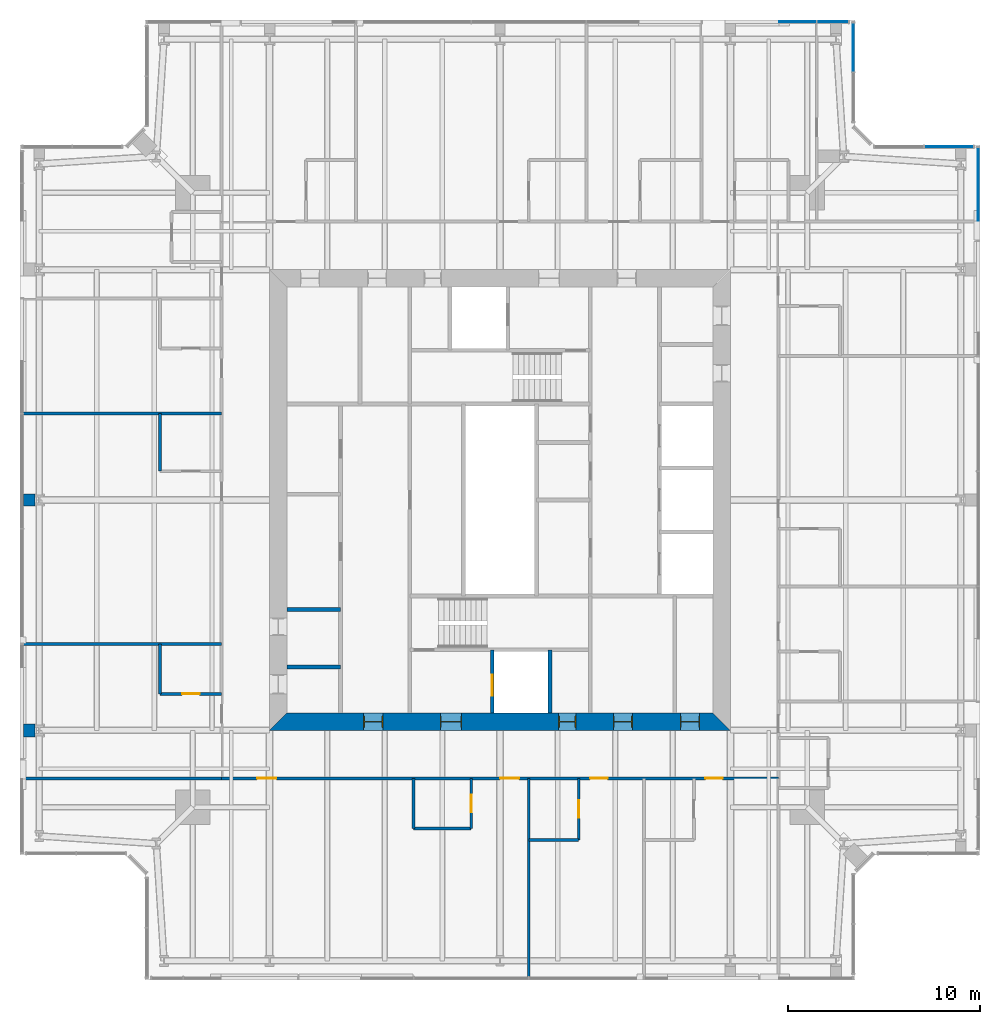
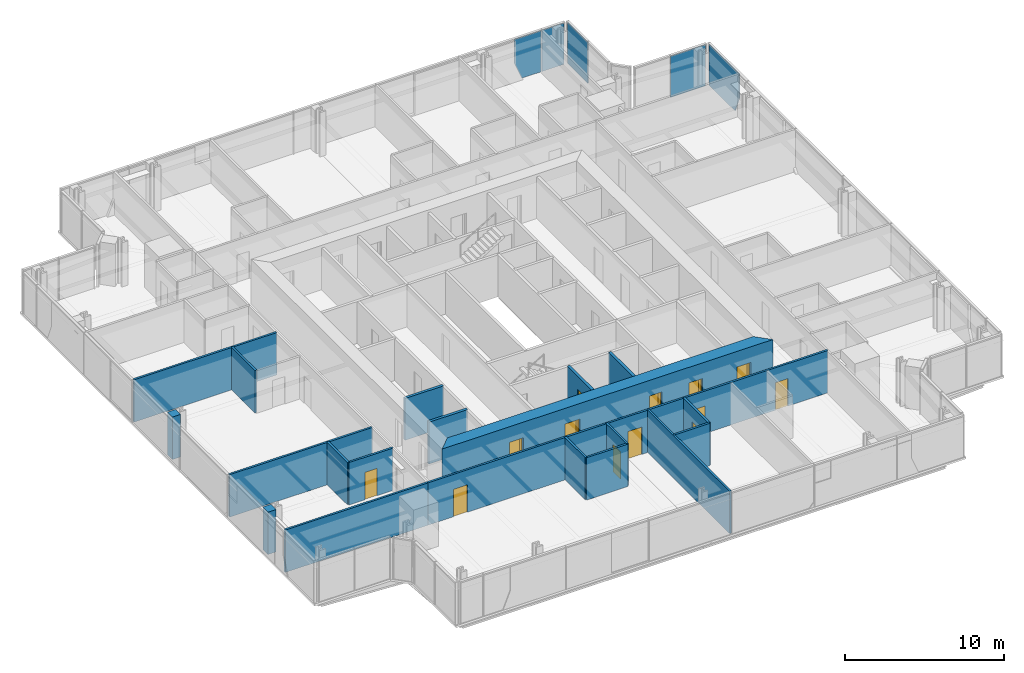
# One storey, part 11 of 18: 20 walls, 13 doors, 5 plates, 13 openings, 4 elements without a shape of their own.
"""IFC4 building model written with IfcOpenShell, lengths in metres."""

from ifc_helpers import new_model, si_unit, direction, frame, frame_2d, origin, origin_2d, place, context, subcontext, project, spatial, polyline, rectangle, outline, extrude, material, layer, layer_set, type_object, element, fill, aggregate, save


model = new_model("IFC4")

# Units and contexts
model_context = context("Model", 3, precision=1e-05, world=origin(), true_north=direction((0.0, 1.0)))
body_context = subcontext(model_context, "Body", "Model", "MODEL_VIEW")
ifc_project = project(units=[si_unit("LENGTHUNIT", "METRE"), si_unit("AREAUNIT", "SQUARE_METRE"), si_unit("VOLUMEUNIT", "CUBIC_METRE"), si_unit("PLANEANGLEUNIT", "RADIAN"), si_unit("MASSUNIT", "GRAM", prefix="KILO")], contexts=[model_context])

# Site, building, storey
site_placement = place(None, origin())
site = spatial("IfcSite", under=ifc_project, at=site_placement, CompositionType="ELEMENT")
building_placement = place(site_placement, origin())
building = spatial("IfcBuilding", under=site, at=building_placement, Name="Fenwick Lantern Interchange", CompositionType="ELEMENT")
storey_placement = place(building_placement, frame((0.0, 0.0, 266.199951171875)))
storey = spatial("IfcBuildingStorey", under=building, at=storey_placement, Name="L63", CompositionType="ELEMENT", Elevation=266.199951171875)

# Curtain wall, plate
ifc_material_1 = material(Name="Aluminium curtain wall frame", Category="aluminium")
curtain_wall_type = type_object("IfcCurtainWallType", Name="HOTEL CURTAIN WALL", PredefinedType="USERDEFINED", material=ifc_material_1)
curtain_wall_1_placement = place(storey_placement, origin())
curtain_wall_1 = element("IfcCurtainWall", 1, at=curtain_wall_1_placement, inside=storey, type_object=curtain_wall_type, Name="Hotel curtain wall 05", ObjectType="HOTEL CURTAIN WALL", PredefinedType="USERDEFINED")
ifc_material_2 = material(Name="Vision glass, acoustic laminated double glazed unit", Category="glass")
ifc_layer_1 = layer(ifc_material_2, 0.052001953125)
ifc_layer_set_1 = layer_set([ifc_layer_1], Name="HOTEL CURTAIN WALL PANEL 52")
plate_type = type_object("IfcPlateType", Name="HOTEL CURTAIN WALL PANEL 52", PredefinedType="CURTAIN_PANEL", material=ifc_layer_set_1)
plate_1_placement = place(storey_placement, frame((49.89990234375, 6.60009765625, 0.0), z_axis=(0.0, 0.0, 1.0), x_axis=(0.0, 1.0, 0.0)))
plate_1 = element("IfcPlate", 2, at=plate_1_placement, type_object=plate_type, Name="L63/CW/05/P06a", PredefinedType="CURTAIN_PANEL", context=body_context, shape_type="SweptSolid", body=[
    extrude(outline(polyline([(33.471435546875, 0.0), (36.739990234375, 0.0), (36.739990234375, 3.150146484375), (32.940673828125, 3.150146484375), (32.940673828125, 1.31298828125), (33.471435546875, 0.0)])), frame((0.0, 0.02587890625, 0.0), z_axis=(0.0, -1.0, 0.0), x_axis=(1.0, 0.0, 0.0)), (0.0, 0.0, 1.0), 0.052001953125),
])
aggregate(curtain_wall_1, [plate_1])

curtain_wall_2_placement = place(storey_placement, origin())
curtain_wall_2 = element("IfcCurtainWall", 3, at=curtain_wall_2_placement, inside=storey, type_object=curtain_wall_type, Name="Hotel curtain wall 06", ObjectType="HOTEL CURTAIN WALL", PredefinedType="USERDEFINED")
plate_2_placement = place(storey_placement, frame((48.374755859375, 43.39990234375, 0.0), z_axis=(0.0, 0.0, 1.0), x_axis=(-1.0, 0.0, 0.0)))
plate_2 = element("IfcPlate", 4, at=plate_2_placement, type_object=plate_type, Name="L63/CW/06/P00", PredefinedType="CURTAIN_PANEL", context=body_context, shape_type="SweptSolid", body=[
    extrude(rectangle(XDim=2.53076171875, YDim=0.052001953125, at=origin_2d()), origin(), (0.0, 0.0, 1.0), 3.14990234375),
])
aggregate(curtain_wall_2, [plate_2])

curtain_wall_3_placement = place(storey_placement, origin())
curtain_wall_3 = element("IfcCurtainWall", 5, at=curtain_wall_3_placement, inside=storey, type_object=curtain_wall_type, Name="Hotel curtain wall 08", ObjectType="HOTEL CURTAIN WALL", PredefinedType="USERDEFINED")
plate_3_placement = place(storey_placement, frame((43.39990234375, 48.57470703125, 0.0), z_axis=(0.0, 0.0, 1.0), x_axis=(0.0, 1.0, 0.0)))
plate_3 = element("IfcPlate", 6, at=plate_3_placement, type_object=plate_type, Name="L63/CW/08/P01", PredefinedType="CURTAIN_PANEL", context=body_context, shape_type="SweptSolid", body=[
    extrude(rectangle(XDim=2.53076171875, YDim=0.052001953125, at=origin_2d()), origin(), (0.0, 0.0, 1.0), 3.14990234375),
])
aggregate(curtain_wall_3, [plate_3])

# Curtain wall, plates
curtain_wall_4_placement = place(storey_placement, origin())
curtain_wall_4 = element("IfcCurtainWall", 7, at=curtain_wall_4_placement, inside=storey, type_object=curtain_wall_type, Name="Hotel curtain wall 09", ObjectType="HOTEL CURTAIN WALL", PredefinedType="USERDEFINED")
plate_4_placement = place(storey_placement, frame((42.3349609375, 49.89990234375, 0.0), z_axis=(0.0, 0.0, 1.0), x_axis=(-1.0, 0.0, 0.0)))
plate_4 = element("IfcPlate", 8, at=plate_4_placement, type_object=plate_type, Name="L63/CW/09/P00", PredefinedType="CURTAIN_PANEL", context=body_context, shape_type="SweptSolid", body=[
    extrude(rectangle(XDim=1.610107421875, YDim=0.052001953125, at=origin_2d()), origin(), (0.0, 0.0, 1.0), 3.14990234375),
])
plate_5_placement = place(storey_placement, frame((43.39990234375, 49.89990234375, 0.0), z_axis=(0.0, 0.0, 1.0), x_axis=(-1.0, 0.0, 0.0)))
plate_5 = element("IfcPlate", 9, at=plate_5_placement, type_object=plate_type, Name="L63/CW/09/P01a", PredefinedType="CURTAIN_PANEL", context=body_context, shape_type="SweptSolid", body=[
    extrude(outline(polyline([(1.929931640625, 0.0), (3.328369140625, 0.0), (3.859375, 1.31298828125), (3.859375, 3.150146484375), (1.929931640625, 3.150146484375), (1.929931640625, 0.0)])), frame((0.0, 0.02587890625, 0.0), z_axis=(0.0, -1.0, 0.0), x_axis=(1.0, 0.0, 0.0)), (0.0, 0.0, 1.0), 0.052001953125),
])
aggregate(curtain_wall_4, [plate_4, plate_5])

# Walls
ifc_material_3 = material(Name="Fire-rated gypsum board encasement on steel studs, 2 hour", Category="steel")
ifc_layer_2 = layer(ifc_material_3, 0.631103515625)
ifc_layer_set_2 = layer_set([ifc_layer_2], Name="COLUMN PIER 631")
wall_type_1 = type_object("IfcWallType", Name="COLUMN PIER 631", PredefinedType="PARTITIONING", material=ifc_layer_set_2)
wall_1_placement = place(storey_placement, frame((0.18994140625, 25.0, 0.0), z_axis=(0.0, 0.0, 1.0), x_axis=(1.0, 0.0, 0.0)))
element("IfcWall", 10, at=wall_1_placement, inside=storey, type_object=wall_type_1, Name="L63/W/PIER/CW3", PredefinedType="PARTITIONING", context=body_context, shape_type="SweptSolid", body=[
    extrude(rectangle(XDim=0.589111328125, YDim=0.631103515625, at=frame_2d((0.29443359375, 0.0))), origin(), (0.0, 0.0, 1.0), 3.25),
])
ifc_layer_3 = layer(ifc_material_3, 0.6689453125)
ifc_layer_set_3 = layer_set([ifc_layer_3], Name="COLUMN PIER 669")
wall_type_2 = type_object("IfcWallType", Name="COLUMN PIER 669", PredefinedType="PARTITIONING", material=ifc_layer_set_3)
wall_2_placement = place(storey_placement, frame((0.18994140625, 13.0, 0.0), z_axis=(0.0, 0.0, 1.0), x_axis=(1.0, 0.0, 0.0)))
element("IfcWall", 11, at=wall_2_placement, inside=storey, type_object=wall_type_2, Name="L63/W/PIER/CW4", PredefinedType="PARTITIONING", context=body_context, shape_type="SweptSolid", body=[
    extrude(rectangle(XDim=0.582763671875, YDim=0.6689453125, at=frame_2d((0.29150390625, 0.0))), origin(), (0.0, 0.0, 1.0), 3.25),
])

# Wall, opening, door
ifc_material_4 = material(Name="Concrete masonry ASTM C90 Grade N", Category="masonry")
ifc_layer_4 = layer(ifc_material_4, 0.199951171875)
ifc_layer_set_4 = layer_set([ifc_layer_4], Name="Concrete masonry ASTM C90 Grade N")
wall_type_3 = type_object("IfcWallType", Name="CORE PARTITION 200", PredefinedType="PARTITIONING", material=ifc_layer_set_4)
wall_3_placement = place(storey_placement, frame((24.60009765625, 13.89990234375, 0.0), z_axis=(0.0, 0.0, 1.0), x_axis=(0.0, 1.0, 0.0)))
wall_3 = element("IfcWall", 12, at=wall_3_placement, inside=storey, type_object=wall_type_3, Name="L63/W/CORES/h1", PredefinedType="PARTITIONING", context=body_context, shape_type="SweptSolid", body=[
    extrude(rectangle(XDim=3.300048828125, YDim=0.199951171875, at=frame_2d((1.64990234375, 0.0))), origin(), (0.0, 0.0, 1.0), 3.199951171875),
])
opening_1_placement = place(wall_3_placement, frame((0.89990234375, 0.0, 0.0)))
opening_1 = element("IfcOpeningElement", 13, at=opening_1_placement, cuts=wall_3, Name="Opening LD-FL1", PredefinedType="OPENING", context=body_context, shape_type="SweptSolid", body=[
    extrude(rectangle(XDim=1.10009765625, YDim=2.199951171875, at=frame_2d((0.550048828125, 1.10009765625))), frame((0.0, 0.10986328125, 0.0), z_axis=(0.0, -1.0, 0.0), x_axis=(1.0, 0.0, 0.0)), (0.0, 0.0, 1.0), 0.219970703125),
])
ifc_material_5 = material(Name="Steel door and frame", Category="steel")
door_type_1 = type_object("IfcDoorType", Name="LIFT LANDING DOOR 1100 X 2200", OperationType="DOUBLE_DOOR_SLIDING", PredefinedType="DOOR", material=ifc_material_5)
door_1_placement = place(opening_1_placement, origin())
door_1 = element("IfcDoor", 14, at=door_1_placement, inside=storey, type_object=door_type_1, Name="Lift landing door FL1", OperationType="DOUBLE_DOOR_SLIDING", OverallHeight=2.199951171875, OverallWidth=1.10009765625, PredefinedType="DOOR", context=body_context, shape_type="SweptSolid", body=[
    extrude(rectangle(XDim=1.10009765625, YDim=2.199951171875, at=frame_2d((0.550048828125, 1.10009765625))), frame((0.0, 0.02490234375, 0.0), z_axis=(0.0, -1.0, 0.0), x_axis=(1.0, 0.0, 0.0)), (0.0, 0.0, 1.0), 0.050048828125),
])
fill(opening_1, door_1)

# Walls
wall_4_placement = place(storey_placement, frame((27.60009765625, 13.89990234375, 0.0), z_axis=(0.0, 0.0, 1.0), x_axis=(0.0, 1.0, 0.0)))
element("IfcWall", 15, at=wall_4_placement, inside=storey, type_object=wall_type_3, Name="L63/W/CORES/h2", PredefinedType="PARTITIONING", context=body_context, shape_type="SweptSolid", body=[
    extrude(rectangle(XDim=3.300048828125, YDim=0.199951171875, at=frame_2d((1.64990234375, 0.0))), origin(), (0.0, 0.0, 1.0), 3.199951171875),
])
for number, where, z_axis, x_axis, name in (
    (16, (13.89990234375, 16.300048828125, 0.0), (0.0, 0.0, 1.0), (1.0, 0.0, 0.0), "L63/W/CORES/p1"),
    (17, (13.89990234375, 19.300048828125, 0.0), (0.0, 0.0, 1.0), (1.0, 0.0, 0.0), "L63/W/CORES/p2"),
):
    element("IfcWall", number, at=place(storey_placement, frame(where, z_axis=z_axis, x_axis=x_axis)), inside=storey, type_object=wall_type_3, Name=name, PredefinedType="PARTITIONING", context=body_context, shape_type="SweptSolid", body=[
        extrude(rectangle(XDim=2.800048828125, YDim=0.199951171875, at=frame_2d((1.39990234375, 0.0))), origin(), (0.0, 0.0, 1.0), 3.199951171875),
    ])

# Wall, openings, doors
ifc_material_6 = material(Name="Concrete f'c 70 MPa", Category="concrete")
ifc_layer_5 = layer(ifc_material_6, 0.89990234375)
ifc_layer_set_5 = layer_set([ifc_layer_5], Name="CORE WALL 900")
wall_type_4 = type_object("IfcWallType", Name="CORE WALL 900", PredefinedType="SHEAR", material=ifc_layer_set_5)
wall_5_placement = place(storey_placement, frame((13.0, 13.449951171875, 0.0), z_axis=(0.0, 0.0, 1.0), x_axis=(1.0, 0.0, 0.0)))
wall_5 = element("IfcWall", 18, at=wall_5_placement, inside=storey, type_object=wall_type_4, Name="L63/CORE/S", PredefinedType="SHEAR", context=body_context, shape_type="SweptSolid", body=[
    extrude(outline(polyline([(0.0, -0.449951171875), (24.0, -0.449951171875), (23.10009765625, 0.449951171875), (0.89990234375, 0.449951171875), (0.0, -0.449951171875)])), origin(), (0.0, 0.0, 1.0), 3.400146484375),
])
opening_2_placement = place(wall_5_placement, frame((4.89990234375, 0.0, 0.0)))
opening_2 = element("IfcOpeningElement", 19, at=opening_2_placement, cuts=wall_5, Name="Opening L63-D001", PredefinedType="OPENING", context=body_context, shape_type="SweptSolid", body=[
    extrude(rectangle(XDim=1.0, YDim=2.199951171875, at=frame_2d((0.5, 1.10009765625))), frame((0.0, 0.4599609375, 0.0), z_axis=(0.0, -1.0, 0.0), x_axis=(1.0, 0.0, 0.0)), (0.0, 0.0, 1.0), 0.919921875),
])
opening_3_placement = place(wall_5_placement, frame((8.89990234375, 0.0, 0.0)))
opening_3 = element("IfcOpeningElement", 20, at=opening_3_placement, cuts=wall_5, Name="Opening L63-D002", PredefinedType="OPENING", context=body_context, shape_type="SweptSolid", body=[
    extrude(rectangle(XDim=1.10009765625, YDim=2.199951171875, at=frame_2d((0.550048828125, 1.10009765625))), frame((0.0, 0.4599609375, 0.0), z_axis=(0.0, -1.0, 0.0), x_axis=(1.0, 0.0, 0.0)), (0.0, 0.0, 1.0), 0.919921875),
])
opening_4_placement = place(wall_5_placement, frame((15.050048828125, 0.0, 0.0)))
opening_4 = element("IfcOpeningElement", 21, at=opening_4_placement, cuts=wall_5, Name="Opening L63-D004", PredefinedType="OPENING", context=body_context, shape_type="SweptSolid", body=[
    extrude(rectangle(XDim=0.89990234375, YDim=2.199951171875, at=frame_2d((0.449951171875, 1.10009765625))), frame((0.0, 0.4599609375, 0.0), z_axis=(0.0, -1.0, 0.0), x_axis=(1.0, 0.0, 0.0)), (0.0, 0.0, 1.0), 0.919921875),
])
opening_5_placement = place(wall_5_placement, frame((17.89990234375, 0.0, 0.0)))
opening_5 = element("IfcOpeningElement", 22, at=opening_5_placement, cuts=wall_5, Name="Opening L63-D005", PredefinedType="OPENING", context=body_context, shape_type="SweptSolid", body=[
    extrude(rectangle(XDim=1.0, YDim=2.199951171875, at=frame_2d((0.5, 1.10009765625))), frame((0.0, 0.4599609375, 0.0), z_axis=(0.0, -1.0, 0.0), x_axis=(1.0, 0.0, 0.0)), (0.0, 0.0, 1.0), 0.919921875),
])
opening_6_placement = place(wall_5_placement, frame((21.39990234375, 0.0, 0.0)))
opening_6 = element("IfcOpeningElement", 23, at=opening_6_placement, cuts=wall_5, Name="Opening L63-D006", PredefinedType="OPENING", context=body_context, shape_type="SweptSolid", body=[
    extrude(rectangle(XDim=1.0, YDim=2.199951171875, at=frame_2d((0.5, 1.10009765625))), frame((0.0, 0.4599609375, 0.0), z_axis=(0.0, -1.0, 0.0), x_axis=(1.0, 0.0, 0.0)), (0.0, 0.0, 1.0), 0.919921875),
])
door_type_2 = type_object("IfcDoorType", Name="CORE LOBBY DOOR 1000 X 2200", OperationType="SINGLE_SWING_LEFT", PredefinedType="DOOR", material=ifc_material_5)
door_2_placement = place(opening_2_placement, origin())
door_2 = element("IfcDoor", 24, at=door_2_placement, inside=storey, type_object=door_type_2, Name="Core lobby door", OperationType="SINGLE_SWING_LEFT", OverallHeight=2.199951171875, OverallWidth=1.0, PredefinedType="DOOR", context=body_context, shape_type="SweptSolid", body=[
    extrude(rectangle(XDim=1.0, YDim=2.199951171875, at=frame_2d((0.5, 1.10009765625))), frame((0.0, 0.02490234375, 0.0), z_axis=(0.0, -1.0, 0.0), x_axis=(1.0, 0.0, 0.0)), (0.0, 0.0, 1.0), 0.050048828125),
    extrude(outline(polyline([(0.0, 0.0), (0.0400390625, 0.0), (0.0400390625, 2.159912109375), (0.9599609375, 2.159912109375), (0.9599609375, 0.0), (1.0, 0.0), (1.0, 2.199951171875), (0.0, 2.199951171875), (0.0, 0.0)])), frame((0.0, 0.300048828125, 0.0), z_axis=(0.0, -1.0, 0.0), x_axis=(1.0, 0.0, 0.0)), (0.0, 0.0, 1.0), 0.60009765625),
])
fill(opening_2, door_2)
door_type_3 = type_object("IfcDoorType", Name="FIRE LOBBY DOOR 1100 X 2200", OperationType="SINGLE_SWING_LEFT", PredefinedType="DOOR", material=ifc_material_5)
door_3_placement = place(opening_3_placement, origin())
door_3 = element("IfcDoor", 25, at=door_3_placement, inside=storey, type_object=door_type_3, Name="Fire lobby door", OperationType="SINGLE_SWING_LEFT", OverallHeight=2.199951171875, OverallWidth=1.10009765625, PredefinedType="DOOR", context=body_context, shape_type="SweptSolid", body=[
    extrude(rectangle(XDim=1.10009765625, YDim=2.199951171875, at=frame_2d((0.550048828125, 1.10009765625))), frame((0.0, 0.02490234375, 0.0), z_axis=(0.0, -1.0, 0.0), x_axis=(1.0, 0.0, 0.0)), (0.0, 0.0, 1.0), 0.050048828125),
    extrude(outline(polyline([(0.0, 0.0), (0.0400390625, 0.0), (0.0400390625, 2.159912109375), (1.06005859375, 2.159912109375), (1.06005859375, 0.0), (1.10009765625, 0.0), (1.10009765625, 2.199951171875), (0.0, 2.199951171875), (0.0, 0.0)])), frame((0.0, 0.300048828125, 0.0), z_axis=(0.0, -1.0, 0.0), x_axis=(1.0, 0.0, 0.0)), (0.0, 0.0, 1.0), 0.60009765625),
])
fill(opening_3, door_3)
door_type_4 = type_object("IfcDoorType", Name="SERVICE DOOR 900 X 2200", OperationType="SINGLE_SWING_LEFT", PredefinedType="DOOR", material=ifc_material_5)
door_4_placement = place(opening_4_placement, origin())
door_4 = element("IfcDoor", 26, at=door_4_placement, inside=storey, type_object=door_type_4, Name="Service door", OperationType="SINGLE_SWING_LEFT", OverallHeight=2.199951171875, OverallWidth=0.89990234375, PredefinedType="DOOR", context=body_context, shape_type="SweptSolid", body=[
    extrude(rectangle(XDim=0.89990234375, YDim=2.199951171875, at=frame_2d((0.449951171875, 1.10009765625))), frame((0.0, 0.02490234375, 0.0), z_axis=(0.0, -1.0, 0.0), x_axis=(1.0, 0.0, 0.0)), (0.0, 0.0, 1.0), 0.050048828125),
    extrude(outline(polyline([(0.0, 0.0), (0.0400390625, 0.0), (0.0400390625, 2.159912109375), (0.85986328125, 2.159912109375), (0.85986328125, 0.0), (0.89990234375, 0.0), (0.89990234375, 2.199951171875), (0.0, 2.199951171875), (0.0, 0.0)])), frame((0.0, 0.300048828125, 0.0), z_axis=(0.0, -1.0, 0.0), x_axis=(1.0, 0.0, 0.0)), (0.0, 0.0, 1.0), 0.60009765625),
])
fill(opening_4, door_4)
ifc_material_7 = material(Name="Hardwood door and steel frame", Category="steel")
door_type_5 = type_object("IfcDoorType", Name="WC DOOR 1000 X 2200", OperationType="SINGLE_SWING_LEFT", PredefinedType="DOOR", material=ifc_material_7)
door_5_placement = place(opening_5_placement, origin())
door_5 = element("IfcDoor", 27, at=door_5_placement, inside=storey, type_object=door_type_5, Name="Wc door", OperationType="SINGLE_SWING_LEFT", OverallHeight=2.199951171875, OverallWidth=1.0, PredefinedType="DOOR", context=body_context, shape_type="SweptSolid", body=[
    extrude(rectangle(XDim=1.0, YDim=2.199951171875, at=frame_2d((0.5, 1.10009765625))), frame((0.0, 0.02490234375, 0.0), z_axis=(0.0, -1.0, 0.0), x_axis=(1.0, 0.0, 0.0)), (0.0, 0.0, 1.0), 0.050048828125),
    extrude(outline(polyline([(0.0, 0.0), (0.0400390625, 0.0), (0.0400390625, 2.159912109375), (0.9599609375, 2.159912109375), (0.9599609375, 0.0), (1.0, 0.0), (1.0, 2.199951171875), (0.0, 2.199951171875), (0.0, 0.0)])), frame((0.0, 0.300048828125, 0.0), z_axis=(0.0, -1.0, 0.0), x_axis=(1.0, 0.0, 0.0)), (0.0, 0.0, 1.0), 0.60009765625),
])
fill(opening_5, door_5)
door_6_placement = place(opening_6_placement, origin())
door_6 = element("IfcDoor", 28, at=door_6_placement, inside=storey, type_object=door_type_5, Name="Wc door", OperationType="SINGLE_SWING_LEFT", OverallHeight=2.199951171875, OverallWidth=1.0, PredefinedType="DOOR", context=body_context, shape_type="SweptSolid", body=[
    extrude(rectangle(XDim=1.0, YDim=2.199951171875, at=frame_2d((0.5, 1.10009765625))), frame((0.0, 0.02490234375, 0.0), z_axis=(0.0, -1.0, 0.0), x_axis=(1.0, 0.0, 0.0)), (0.0, 0.0, 1.0), 0.050048828125),
    extrude(outline(polyline([(0.0, 0.0), (0.0400390625, 0.0), (0.0400390625, 2.159912109375), (0.9599609375, 2.159912109375), (0.9599609375, 0.0), (1.0, 0.0), (1.0, 2.199951171875), (0.0, 2.199951171875), (0.0, 0.0)])), frame((0.0, 0.300048828125, 0.0), z_axis=(0.0, -1.0, 0.0), x_axis=(1.0, 0.0, 0.0)), (0.0, 0.0, 1.0), 0.60009765625),
])
fill(opening_6, door_6)

ifc_material_8 = material(Name="Gypsum board on steel studs, 1 hour", Category="steel")
ifc_layer_6 = layer(ifc_material_8, 0.14990234375)
ifc_layer_set_6 = layer_set([ifc_layer_6], Name="CORRIDOR WALL 150")
wall_type_5 = type_object("IfcWallType", Name="CORRIDOR WALL 150", PredefinedType="PARTITIONING", material=ifc_layer_set_6)
wall_6_placement = place(storey_placement, frame((10.5, 10.5, 0.0), z_axis=(0.0, 0.0, 1.0), x_axis=(1.0, 0.0, 0.0)))
wall_6 = element("IfcWall", 29, at=wall_6_placement, inside=storey, type_object=wall_type_5, Name="L63/W/HOTEL/S/CW", PredefinedType="PARTITIONING", context=body_context, shape_type="SweptSolid", body=[
    extrude(rectangle(XDim=29.0, YDim=0.14990234375, at=frame_2d((14.5, 0.0))), origin(), (0.0, 0.0, 1.0), 3.25),
])
opening_7_placement = place(wall_6_placement, frame((1.85009765625, 0.0, 0.0)))
opening_7 = element("IfcOpeningElement", 30, at=opening_7_placement, cuts=wall_6, Name="Opening L63-D024", PredefinedType="OPENING", context=body_context, shape_type="SweptSolid", body=[
    extrude(rectangle(XDim=1.0, YDim=2.10009765625, at=frame_2d((0.5, 1.050048828125))), frame((0.0, 0.0849609375, 0.0), z_axis=(0.0, -1.0, 0.0), x_axis=(1.0, 0.0, 0.0)), (0.0, 0.0, 1.0), 0.169921875),
])
opening_8_placement = place(wall_6_placement, frame((14.5, 0.0, 0.0)))
opening_8 = element("IfcOpeningElement", 31, at=opening_8_placement, cuts=wall_6, Name="Opening L63-D025", PredefinedType="OPENING", context=body_context, shape_type="SweptSolid", body=[
    extrude(rectangle(XDim=1.0, YDim=2.10009765625, at=frame_2d((0.5, 1.050048828125))), frame((0.0, 0.0849609375, 0.0), z_axis=(0.0, -1.0, 0.0), x_axis=(1.0, 0.0, 0.0)), (0.0, 0.0, 1.0), 0.169921875),
])
opening_9_placement = place(wall_6_placement, frame((19.199951171875, 0.0, 0.0)))
opening_9 = element("IfcOpeningElement", 32, at=opening_9_placement, cuts=wall_6, Name="Opening L63-D027", PredefinedType="OPENING", context=body_context, shape_type="SweptSolid", body=[
    extrude(rectangle(XDim=0.89990234375, YDim=2.10009765625, at=frame_2d((0.449951171875, 1.050048828125))), frame((0.0, 0.0849609375, 0.0), z_axis=(0.0, -1.0, 0.0), x_axis=(1.0, 0.0, 0.0)), (0.0, 0.0, 1.0), 0.169921875),
])
opening_10_placement = place(wall_6_placement, frame((25.199951171875, 0.0, 0.0)))
opening_10 = element("IfcOpeningElement", 33, at=opening_10_placement, cuts=wall_6, Name="Opening L63-D029", PredefinedType="OPENING", context=body_context, shape_type="SweptSolid", body=[
    extrude(rectangle(XDim=0.89990234375, YDim=2.10009765625, at=frame_2d((0.449951171875, 1.050048828125))), frame((0.0, 0.0849609375, 0.0), z_axis=(0.0, -1.0, 0.0), x_axis=(1.0, 0.0, 0.0)), (0.0, 0.0, 1.0), 0.169921875),
])
door_type_6 = type_object("IfcDoorType", Name="GUEST ROOM DOOR 1000 X 2100", OperationType="SINGLE_SWING_LEFT", PredefinedType="DOOR", material=ifc_material_5)
door_7_placement = place(opening_7_placement, origin())
door_7 = element("IfcDoor", 34, at=door_7_placement, inside=storey, type_object=door_type_6, Name="Guest room door", OperationType="SINGLE_SWING_LEFT", OverallHeight=2.10009765625, OverallWidth=1.0, PredefinedType="DOOR", context=body_context, shape_type="SweptSolid", body=[
    extrude(rectangle(XDim=1.0, YDim=2.10009765625, at=frame_2d((0.5, 1.050048828125))), frame((0.0, 0.02490234375, 0.0), z_axis=(0.0, -1.0, 0.0), x_axis=(1.0, 0.0, 0.0)), (0.0, 0.0, 1.0), 0.050048828125),
])
fill(opening_7, door_7)
door_8_placement = place(opening_8_placement, origin())
door_8 = element("IfcDoor", 35, at=door_8_placement, inside=storey, type_object=door_type_6, Name="Guest room door", OperationType="SINGLE_SWING_RIGHT", OverallHeight=2.10009765625, OverallWidth=1.0, PredefinedType="DOOR", context=body_context, shape_type="SweptSolid", body=[
    extrude(rectangle(XDim=1.0, YDim=2.10009765625, at=frame_2d((0.5, 1.050048828125))), frame((0.0, 0.02490234375, 0.0), z_axis=(0.0, -1.0, 0.0), x_axis=(1.0, 0.0, 0.0)), (0.0, 0.0, 1.0), 0.050048828125),
])
fill(opening_8, door_8)
door_type_7 = type_object("IfcDoorType", Name="GUEST ROOM DOOR 900 X 2100", OperationType="SINGLE_SWING_LEFT", PredefinedType="DOOR", material=ifc_material_5)
door_9_placement = place(opening_9_placement, frame((0.89990234375, 0.0, 0.0), z_axis=(0.0, 0.0, 1.0), x_axis=(-1.0, 0.0, 0.0)))
door_9 = element("IfcDoor", 36, at=door_9_placement, inside=storey, type_object=door_type_7, Name="Guest room door", OperationType="SINGLE_SWING_RIGHT", OverallHeight=2.10009765625, OverallWidth=0.89990234375, PredefinedType="DOOR", context=body_context, shape_type="SweptSolid", body=[
    extrude(rectangle(XDim=0.89990234375, YDim=2.10009765625, at=frame_2d((0.449951171875, 1.050048828125))), frame((0.0, 0.02490234375, 0.0), z_axis=(0.0, -1.0, 0.0), x_axis=(1.0, 0.0, 0.0)), (0.0, 0.0, 1.0), 0.050048828125),
])
fill(opening_9, door_9)
door_10_placement = place(opening_10_placement, frame((0.89990234375, 0.0, 0.0), z_axis=(0.0, 0.0, 1.0), x_axis=(-1.0, 0.0, 0.0)))
door_10 = element("IfcDoor", 37, at=door_10_placement, inside=storey, type_object=door_type_7, Name="Guest room door", OperationType="SINGLE_SWING_RIGHT", OverallHeight=2.10009765625, OverallWidth=0.89990234375, PredefinedType="DOOR", context=body_context, shape_type="SweptSolid", body=[
    extrude(rectangle(XDim=0.89990234375, YDim=2.10009765625, at=frame_2d((0.449951171875, 1.050048828125))), frame((0.0, 0.02490234375, 0.0), z_axis=(0.0, -1.0, 0.0), x_axis=(1.0, 0.0, 0.0)), (0.0, 0.0, 1.0), 0.050048828125),
])
fill(opening_10, door_10)

# Wall
ifc_material_9 = material(Name="Gypsum board on steel studs, moisture resistant", Category="steel")
ifc_layer_7 = layer(ifc_material_9, 0.14990234375)
ifc_layer_set_7 = layer_set([ifc_layer_7], Name="EN-SUITE WALL 150")
wall_type_6 = type_object("IfcWallType", Name="EN-SUITE WALL 150", PredefinedType="PARTITIONING", material=ifc_layer_set_7)
wall_7_placement = place(storey_placement, frame((20.5, 7.89990234375, 0.0), z_axis=(0.0, 0.0, 1.0), x_axis=(1.0, 0.0, 0.0)))
element("IfcWall", 38, at=wall_7_placement, inside=storey, type_object=wall_type_6, Name="L63/W/HOTEL/S/U1KW", PredefinedType="PARTITIONING", context=body_context, shape_type="SweptSolid", body=[
    extrude(rectangle(XDim=3.0, YDim=0.14990234375, at=frame_2d((1.5, 0.0))), origin(), (0.0, 0.0, 1.0), 3.25),
])

# Wall, opening, door
wall_8_placement = place(storey_placement, frame((23.5, 7.89990234375, 0.0), z_axis=(0.0, 0.0, 1.0), x_axis=(0.0, 1.0, 0.0)))
wall_8 = element("IfcWall", 39, at=wall_8_placement, inside=storey, type_object=wall_type_6, Name="L63/W/HOTEL/S/U1KX", PredefinedType="PARTITIONING", context=body_context, shape_type="SweptSolid", body=[
    extrude(rectangle(XDim=2.60009765625, YDim=0.14990234375, at=frame_2d((1.300048828125, 0.0))), origin(), (0.0, 0.0, 1.0), 3.25),
])
opening_11_placement = place(wall_8_placement, frame((0.85009765625, 0.0, 0.0)))
opening_11 = element("IfcOpeningElement", 40, at=opening_11_placement, cuts=wall_8, Name="Opening L63-D023", PredefinedType="OPENING", context=body_context, shape_type="SweptSolid", body=[
    extrude(rectangle(XDim=0.89990234375, YDim=2.10009765625, at=frame_2d((0.449951171875, 1.050048828125))), frame((0.0, 0.0849609375, 0.0), z_axis=(0.0, -1.0, 0.0), x_axis=(1.0, 0.0, 0.0)), (0.0, 0.0, 1.0), 0.169921875),
])
door_type_8 = type_object("IfcDoorType", Name="EN-SUITE DOOR 900 X 2100", OperationType="SINGLE_SWING_LEFT", PredefinedType="DOOR", material=ifc_material_7)
door_11_placement = place(opening_11_placement, origin())
door_11 = element("IfcDoor", 41, at=door_11_placement, inside=storey, type_object=door_type_8, Name="En-suite door", OperationType="SINGLE_SWING_LEFT", OverallHeight=2.10009765625, OverallWidth=0.89990234375, PredefinedType="DOOR", context=body_context, shape_type="SweptSolid", body=[
    extrude(rectangle(XDim=0.89990234375, YDim=2.10009765625, at=frame_2d((0.449951171875, 1.050048828125))), frame((0.0, 0.02490234375, 0.0), z_axis=(0.0, -1.0, 0.0), x_axis=(1.0, 0.0, 0.0)), (0.0, 0.0, 1.0), 0.050048828125),
])
fill(opening_11, door_11)

# Walls
for number, where, z_axis, x_axis, name in (
    (42, (20.5, 7.89990234375, 0.0), (0.0, 0.0, 1.0), (0.0, 1.0, 0.0), "L63/W/HOTEL/S/U1KV"),
    (43, (26.5, 7.300048828125, 0.0), (0.0, 0.0, 1.0), (1.0, 0.0, 0.0), "L63/W/HOTEL/S/U2BW"),
):
    element("IfcWall", number, at=place(storey_placement, frame(where, z_axis=z_axis, x_axis=x_axis)), inside=storey, type_object=wall_type_6, Name=name, PredefinedType="PARTITIONING", context=body_context, shape_type="SweptSolid", body=[
        extrude(rectangle(XDim=2.60009765625, YDim=0.14990234375, at=frame_2d((1.300048828125, 0.0))), origin(), (0.0, 0.0, 1.0), 3.25),
    ])

# Wall, opening, door
wall_9_placement = place(storey_placement, frame((29.10009765625, 7.300048828125, 0.0), z_axis=(0.0, 0.0, 1.0), x_axis=(0.0, 1.0, 0.0)))
wall_9 = element("IfcWall", 44, at=wall_9_placement, inside=storey, type_object=wall_type_6, Name="L63/W/HOTEL/S/U2BX", PredefinedType="PARTITIONING", context=body_context, shape_type="SweptSolid", body=[
    extrude(rectangle(XDim=3.199951171875, YDim=0.14990234375, at=frame_2d((1.60009765625, 0.0))), origin(), (0.0, 0.0, 1.0), 3.25),
])
opening_12_placement = place(wall_9_placement, frame((1.14990234375, 0.0, 0.0)))
opening_12 = element("IfcOpeningElement", 45, at=opening_12_placement, cuts=wall_9, Name="Opening L63-D026", PredefinedType="OPENING", context=body_context, shape_type="SweptSolid", body=[
    extrude(rectangle(XDim=0.89990234375, YDim=2.10009765625, at=frame_2d((0.449951171875, 1.050048828125))), frame((0.0, 0.0849609375, 0.0), z_axis=(0.0, -1.0, 0.0), x_axis=(1.0, 0.0, 0.0)), (0.0, 0.0, 1.0), 0.169921875),
])
door_12_placement = place(opening_12_placement, origin())
door_12 = element("IfcDoor", 46, at=door_12_placement, inside=storey, type_object=door_type_8, Name="En-suite door", OperationType="SINGLE_SWING_LEFT", OverallHeight=2.10009765625, OverallWidth=0.89990234375, PredefinedType="DOOR", context=body_context, shape_type="SweptSolid", body=[
    extrude(rectangle(XDim=0.89990234375, YDim=2.10009765625, at=frame_2d((0.449951171875, 1.050048828125))), frame((0.0, 0.02490234375, 0.0), z_axis=(0.0, -1.0, 0.0), x_axis=(1.0, 0.0, 0.0)), (0.0, 0.0, 1.0), 0.050048828125),
])
fill(opening_12, door_12)

# Walls
wall_10_placement = place(storey_placement, frame((7.300048828125, 29.5, 0.0), z_axis=(0.0, 0.0, 1.0), x_axis=(0.0, -1.0, 0.0)))
element("IfcWall", 47, at=wall_10_placement, inside=storey, type_object=wall_type_6, Name="L63/W/HOTEL/W/U3BW", PredefinedType="PARTITIONING", context=body_context, shape_type="SweptSolid", body=[
    extrude(rectangle(XDim=3.0, YDim=0.14990234375, at=frame_2d((1.5, 0.0))), origin(), (0.0, 0.0, 1.0), 3.25),
])
wall_11_placement = place(storey_placement, frame((7.300048828125, 17.5, 0.0), z_axis=(0.0, 0.0, 1.0), x_axis=(0.0, -1.0, 0.0)))
element("IfcWall", 48, at=wall_11_placement, inside=storey, type_object=wall_type_6, Name="L63/W/HOTEL/W/U4BW", PredefinedType="PARTITIONING", context=body_context, shape_type="SweptSolid", body=[
    extrude(rectangle(XDim=2.60009765625, YDim=0.14990234375, at=frame_2d((1.300048828125, 0.0))), origin(), (0.0, 0.0, 1.0), 3.25),
])

# Wall, opening, door
wall_12_placement = place(storey_placement, frame((7.300048828125, 14.89990234375, 0.0), z_axis=(0.0, 0.0, 1.0), x_axis=(1.0, 0.0, 0.0)))
wall_12 = element("IfcWall", 49, at=wall_12_placement, inside=storey, type_object=wall_type_6, Name="L63/W/HOTEL/W/U4BX", PredefinedType="PARTITIONING", context=body_context, shape_type="SweptSolid", body=[
    extrude(rectangle(XDim=3.199951171875, YDim=0.14990234375, at=frame_2d((1.60009765625, 0.0))), origin(), (0.0, 0.0, 1.0), 3.25),
])
opening_13_placement = place(wall_12_placement, frame((1.14990234375, 0.0, 0.0)))
opening_13 = element("IfcOpeningElement", 50, at=opening_13_placement, cuts=wall_12, Name="Opening L63-D053", PredefinedType="OPENING", context=body_context, shape_type="SweptSolid", body=[
    extrude(rectangle(XDim=0.89990234375, YDim=2.10009765625, at=frame_2d((0.449951171875, 1.050048828125))), frame((0.0, 0.0849609375, 0.0), z_axis=(0.0, -1.0, 0.0), x_axis=(1.0, 0.0, 0.0)), (0.0, 0.0, 1.0), 0.169921875),
])
door_13_placement = place(opening_13_placement, origin())
door_13 = element("IfcDoor", 51, at=door_13_placement, inside=storey, type_object=door_type_8, Name="En-suite door", OperationType="SINGLE_SWING_LEFT", OverallHeight=2.10009765625, OverallWidth=0.89990234375, PredefinedType="DOOR", context=body_context, shape_type="SweptSolid", body=[
    extrude(rectangle(XDim=0.89990234375, YDim=2.10009765625, at=frame_2d((0.449951171875, 1.050048828125))), frame((0.0, 0.02490234375, 0.0), z_axis=(0.0, -1.0, 0.0), x_axis=(1.0, 0.0, 0.0)), (0.0, 0.0, 1.0), 0.050048828125),
])
fill(opening_13, door_13)

# Walls
ifc_material_10 = material(Name="Gypsum board on steel studs, 1 hour acoustic", Category="steel")
ifc_layer_8 = layer(ifc_material_10, 0.14990234375)
ifc_layer_set_8 = layer_set([ifc_layer_8], Name="PARTY WALL 150")
wall_type_7 = type_object("IfcWallType", Name="PARTY WALL 150", PredefinedType="PARTITIONING", material=ifc_layer_set_8)
for number, where, z_axis, x_axis, name in (
    (52, (0.14990234375, 10.5, 0.0), (0.0, 0.0, 1.0), (1.0, 0.0, 0.0), "L63/W/HOTEL/S/SW3"),
    (53, (26.5, 0.14990234375, 0.0), (0.0, 0.0, 1.0), (0.0, 1.0, 0.0), "L63/W/HOTEL/S/U2PW"),
    (54, (0.14990234375, 29.5, 0.0), (0.0, 0.0, 1.0), (1.0, 0.0, 0.0), "L63/W/HOTEL/W/U3PW"),
    (55, (0.14990234375, 17.5, 0.0), (0.0, 0.0, 1.0), (1.0, 0.0, 0.0), "L63/W/HOTEL/W/U4PW"),
):
    element("IfcWall", number, at=place(storey_placement, frame(where, z_axis=z_axis, x_axis=x_axis)), inside=storey, type_object=wall_type_7, Name=name, PredefinedType="PARTITIONING", context=body_context, shape_type="SweptSolid", body=[
        extrude(rectangle(XDim=10.35009765625, YDim=0.14990234375, at=frame_2d((5.175048828125, 0.0))), origin(), (0.0, 0.0, 1.0), 3.25),
    ])

save(model, "model.ifc")
